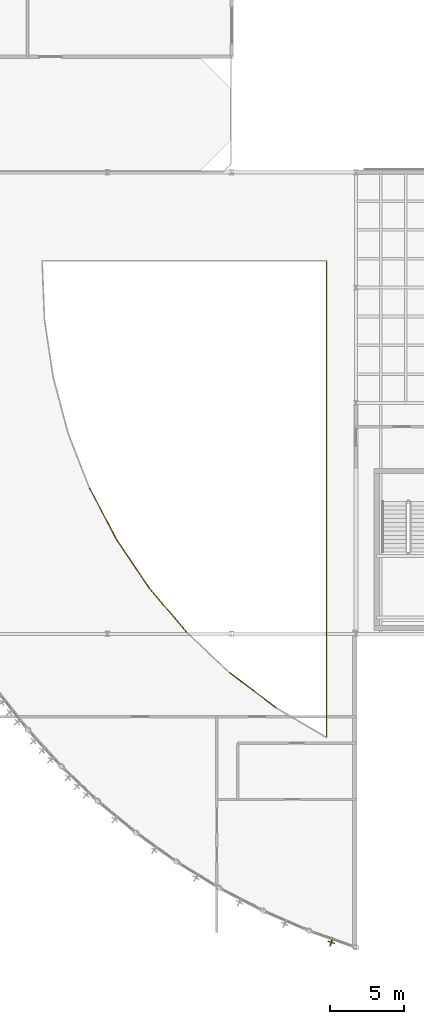
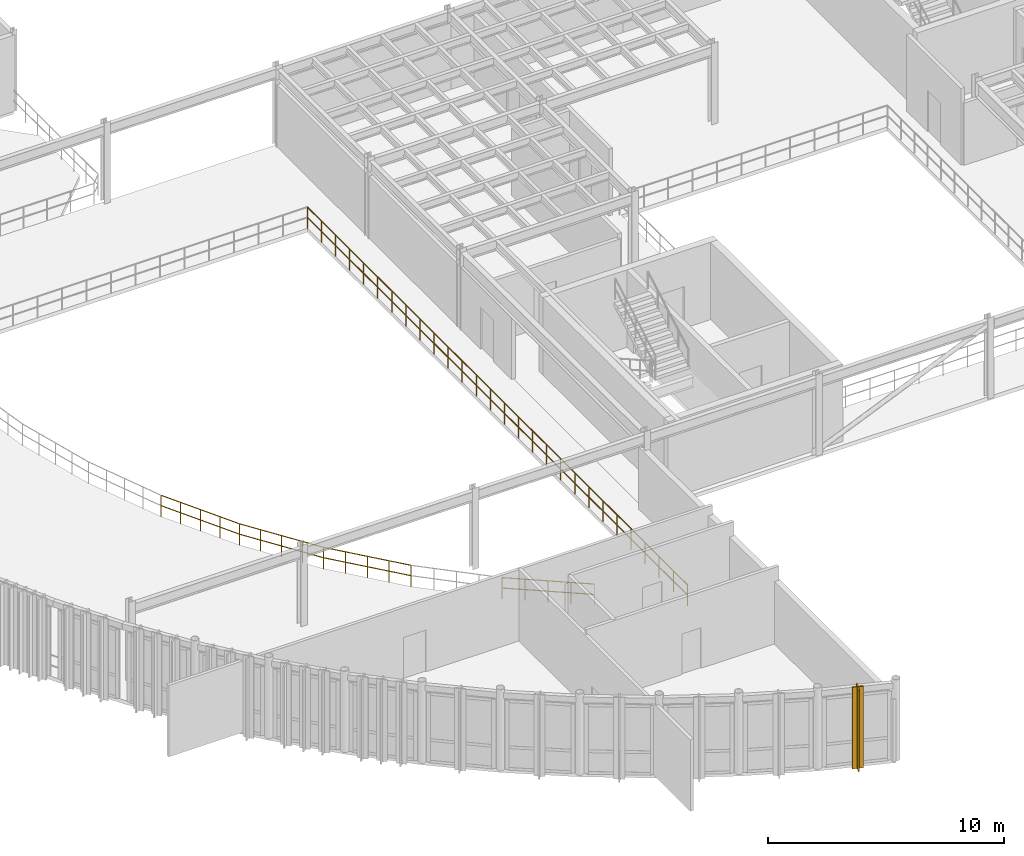
# One storey, part 27 of 32: 5 railings, 1 covering, 1 shading device.
"""IFC4 building model written with IfcOpenShell, lengths in metres."""

from ifc_helpers import new_model, si_unit, direction, frame, origin, origin_2d, place, context, subcontext, project, spatial, polyline, rectangle, circle, outline, extrude, material, layer, layer_set, material_profile, profile_set, type_object, element, save


model = new_model("IFC4")

# Units and contexts
model_context = context("Model", 3, precision=1e-05, world=origin(), true_north=direction((0.0, 1.0)))
body_context = subcontext(model_context, "Body", "Model", "MODEL_VIEW")
ifc_project = project(units=[si_unit("LENGTHUNIT", "METRE"), si_unit("AREAUNIT", "SQUARE_METRE"), si_unit("VOLUMEUNIT", "CUBIC_METRE"), si_unit("PLANEANGLEUNIT", "RADIAN"), si_unit("MASSUNIT", "GRAM", prefix="KILO")], contexts=[model_context])

# Site, building, storey
site_placement = place(None, origin())
site = spatial("IfcSite", under=ifc_project, at=site_placement, CompositionType="ELEMENT")
building_placement = place(site_placement, origin())
building = spatial("IfcBuilding", under=site, at=building_placement, Name="Selat Folded Stagehouse", CompositionType="ELEMENT")
storey_placement = place(building_placement, frame((0.0, 0.0, 19.199951171875)))
storey = spatial("IfcBuildingStorey", under=building, at=storey_placement, Name="L04", CompositionType="ELEMENT", Elevation=19.199951171875)

# Covering
ifc_material_1 = material(Name="Bronze-anodised aluminium 6063-T6", Category="aluminium")
ifc_layer_1 = layer(ifc_material_1, 0.06005859375)
ifc_layer_set_1 = layer_set([ifc_layer_1], Name="Bronze-anodised aluminium 6063-T6")
covering_type = type_object("IfcCoveringType", Name="COV-FIN-BRZ42", PredefinedType="CLADDING", material=ifc_layer_set_1)
covering_placement = place(storey_placement, frame((0.0, 0.0, -0.099853515625)))
element("IfcCovering", 1, at=covering_placement, inside=storey, type_object=covering_type, Name="L04 drum bronze fin cladding sheath 433", PredefinedType="CLADDING", context=body_context, shape_type="SweptSolid", body=[
    extrude(outline(polyline([(31.98828125, 2.802001953125), (31.808349609375, 2.292724609375), (31.86865234375, 2.271484375), (32.048583984375, 2.780517578125), (31.98828125, 2.802001953125)])), origin(), (0.0, 0.0, 1.0), 4.219970703125),
])

# Railings
ifc_material_2 = material(Name="Bronze-anodised steel balustrade", Category="steel")
ifc_layer_2 = layer(ifc_material_2, 0.06494140625)
ifc_layer_set_2 = layer_set([ifc_layer_2], Name="Bronze-anodised steel balustrade")
railing_type = type_object("IfcRailingType", Name="RLG-BAL-1120", PredefinedType="BALUSTRADE", material=ifc_layer_set_2)
railing_1_placement = place(storey_placement, frame((31.60009765625, 48.60009765625, 0.0)))
element("IfcRailing", 2, at=railing_1_placement, inside=storey, type_object=railing_type, Name="L04 protective guard railing 110", PredefinedType="BALUSTRADE", context=body_context, shape_type="SweptSolid", body=[
    extrude(circle(Radius=0.02392578125, at=origin_2d()), frame((0.0, 0.0, 1.09619140625), z_axis=(0.0, -1.0, 0.0), x_axis=(1.0, 0.0, 0.0)), (0.0, 0.0, 1.0), 32.197509765625),
    extrude(circle(Radius=0.02392578125, at=origin_2d()), frame((0.0, 0.0, 0.56005859375), z_axis=(0.0, -1.0, 0.0), x_axis=(1.0, 0.0, 0.0)), (0.0, 0.0, 1.0), 32.197509765625),
    extrude(circle(Radius=0.02099609375, at=origin_2d()), origin(), (0.0, 0.0, 1.0), 1.072021484375),
    extrude(circle(Radius=0.02099609375, at=origin_2d()), frame((0.0, -1.1923828125, 0.0)), (0.0, 0.0, 1.0), 1.072021484375),
    extrude(circle(Radius=0.02099609375, at=origin_2d()), frame((0.0, -2.385009765625, 0.0)), (0.0, 0.0, 1.0), 1.072021484375),
    extrude(circle(Radius=0.02099609375, at=origin_2d()), frame((0.0, -3.577392578125, 0.0)), (0.0, 0.0, 1.0), 1.072021484375),
    extrude(circle(Radius=0.02099609375, at=origin_2d()), frame((0.0, -4.77001953125, 0.0)), (0.0, 0.0, 1.0), 1.072021484375),
    extrude(circle(Radius=0.02099609375, at=origin_2d()), frame((0.0, -5.96240234375, 0.0)), (0.0, 0.0, 1.0), 1.072021484375),
    extrude(circle(Radius=0.02099609375, at=origin_2d()), frame((0.0, -7.155029296875, 0.0)), (0.0, 0.0, 1.0), 1.072021484375),
    extrude(circle(Radius=0.02099609375, at=origin_2d()), frame((0.0, -8.347412109375, 0.0)), (0.0, 0.0, 1.0), 1.072021484375),
    extrude(circle(Radius=0.02099609375, at=origin_2d()), frame((0.0, -9.5400390625, 0.0)), (0.0, 0.0, 1.0), 1.072021484375),
    extrude(circle(Radius=0.02099609375, at=origin_2d()), frame((0.0, -10.732421875, 0.0)), (0.0, 0.0, 1.0), 1.072021484375),
    extrude(circle(Radius=0.02099609375, at=origin_2d()), frame((0.0, -11.925048828125, 0.0)), (0.0, 0.0, 1.0), 1.072021484375),
    extrude(circle(Radius=0.02099609375, at=origin_2d()), frame((0.0, -13.117431640625, 0.0)), (0.0, 0.0, 1.0), 1.072021484375),
    extrude(circle(Radius=0.02099609375, at=origin_2d()), frame((0.0, -14.31005859375, 0.0)), (0.0, 0.0, 1.0), 1.072021484375),
    extrude(circle(Radius=0.02099609375, at=origin_2d()), frame((0.0, -15.50244140625, 0.0)), (0.0, 0.0, 1.0), 1.072021484375),
    extrude(circle(Radius=0.02099609375, at=origin_2d()), frame((0.0, -16.695068359375, 0.0)), (0.0, 0.0, 1.0), 1.072021484375),
    extrude(circle(Radius=0.02099609375, at=origin_2d()), frame((0.0, -17.887451171875, 0.0)), (0.0, 0.0, 1.0), 1.072021484375),
    extrude(circle(Radius=0.02099609375, at=origin_2d()), frame((0.0, -19.080078125, 0.0)), (0.0, 0.0, 1.0), 1.072021484375),
    extrude(circle(Radius=0.02099609375, at=origin_2d()), frame((0.0, -20.2724609375, 0.0)), (0.0, 0.0, 1.0), 1.072021484375),
    extrude(circle(Radius=0.02099609375, at=origin_2d()), frame((0.0, -21.465087890625, 0.0)), (0.0, 0.0, 1.0), 1.072021484375),
    extrude(circle(Radius=0.02099609375, at=origin_2d()), frame((0.0, -22.657470703125, 0.0)), (0.0, 0.0, 1.0), 1.072021484375),
    extrude(circle(Radius=0.02099609375, at=origin_2d()), frame((0.0, -23.85009765625, 0.0)), (0.0, 0.0, 1.0), 1.072021484375),
    extrude(circle(Radius=0.02099609375, at=origin_2d()), frame((0.0, -25.04248046875, 0.0)), (0.0, 0.0, 1.0), 1.072021484375),
    extrude(circle(Radius=0.02099609375, at=origin_2d()), frame((0.0, -26.235107421875, 0.0)), (0.0, 0.0, 1.0), 1.072021484375),
    extrude(circle(Radius=0.02099609375, at=origin_2d()), frame((0.0, -27.427490234375, 0.0)), (0.0, 0.0, 1.0), 1.072021484375),
    extrude(circle(Radius=0.02099609375, at=origin_2d()), frame((0.0, -28.6201171875, 0.0)), (0.0, 0.0, 1.0), 1.072021484375),
    extrude(circle(Radius=0.02099609375, at=origin_2d()), frame((0.0, -29.8125, 0.0)), (0.0, 0.0, 1.0), 1.072021484375),
    extrude(circle(Radius=0.02099609375, at=origin_2d()), frame((0.0, -31.005126953125, 0.0)), (0.0, 0.0, 1.0), 1.072021484375),
    extrude(circle(Radius=0.02099609375, at=origin_2d()), frame((0.0, -32.197509765625, 0.0)), (0.0, 0.0, 1.0), 1.072021484375),
])
railing_2_placement = place(storey_placement, frame((28.2041015625, 18.41162109375, 0.0)))
element("IfcRailing", 3, at=railing_2_placement, inside=storey, type_object=railing_type, Name="L04 protective guard railing 112", PredefinedType="BALUSTRADE", context=body_context, shape_type="SweptSolid", body=[
    extrude(circle(Radius=0.02392578125, at=origin_2d()), frame((0.0, 0.0, 1.09619140625), z_axis=(-0.799063466096, 0.601246685771, 0.0), x_axis=(-0.601246685771, -0.799063466096, 0.0)), (0.0, 0.0, 1.0), 3.945556640625),
    extrude(circle(Radius=0.02392578125, at=origin_2d()), frame((0.0, 0.0, 0.56005859375), z_axis=(-0.799063466096, 0.601246685771, 0.0), x_axis=(-0.601246685771, -0.799063466096, 0.0)), (0.0, 0.0, 1.0), 3.945556640625),
    extrude(circle(Radius=0.02099609375, at=origin_2d()), origin(), (0.0, 0.0, 1.0), 1.072021484375),
    extrude(circle(Radius=0.02099609375, at=origin_2d()), frame((-0.7880859375, 0.593017578125, 0.0)), (0.0, 0.0, 1.0), 1.072021484375),
    extrude(circle(Radius=0.02099609375, at=origin_2d()), frame((-1.576416015625, 1.18603515625, 0.0)), (0.0, 0.0, 1.0), 1.072021484375),
    extrude(circle(Radius=0.02099609375, at=origin_2d()), frame((-2.36474609375, 1.779296875, 0.0)), (0.0, 0.0, 1.0), 1.072021484375),
    extrude(circle(Radius=0.02099609375, at=origin_2d()), frame((-3.15283203125, 2.372314453125, 0.0)), (0.0, 0.0, 1.0), 1.072021484375),
])
railing_3_placement = place(storey_placement, frame((22.180419921875, 23.490478515625, 0.0)))
element("IfcRailing", 4, at=railing_3_placement, inside=storey, type_object=railing_type, Name="L04 protective guard railing 114", PredefinedType="BALUSTRADE", context=body_context, shape_type="SweptSolid", body=[
    extrude(circle(Radius=0.02392578125, at=origin_2d()), frame((0.0, 0.0, 1.09619140625), z_axis=(-0.647217253778, 0.762305599096, 0.0), x_axis=(-0.762305599096, -0.647217253778, 0.0)), (0.0, 0.0, 1.0), 3.945556640625),
    extrude(circle(Radius=0.02392578125, at=origin_2d()), frame((0.0, 0.0, 0.56005859375), z_axis=(-0.647217253778, 0.762305599096, 0.0), x_axis=(-0.762305599096, -0.647217253778, 0.0)), (0.0, 0.0, 1.0), 3.945556640625),
    extrude(circle(Radius=0.02099609375, at=origin_2d()), origin(), (0.0, 0.0, 1.0), 1.072021484375),
    extrude(circle(Radius=0.02099609375, at=origin_2d()), frame((-0.638427734375, 0.751953125, 0.0)), (0.0, 0.0, 1.0), 1.072021484375),
    extrude(circle(Radius=0.02099609375, at=origin_2d()), frame((-1.27685546875, 1.50390625, 0.0)), (0.0, 0.0, 1.0), 1.072021484375),
    extrude(circle(Radius=0.02099609375, at=origin_2d()), frame((-1.915283203125, 2.255859375, 0.0)), (0.0, 0.0, 1.0), 1.072021484375),
    extrude(circle(Radius=0.02099609375, at=origin_2d()), frame((-2.5537109375, 3.0078125, 0.0)), (0.0, 0.0, 1.0), 1.072021484375),
])
railing_4_placement = place(storey_placement, frame((19.626708984375, 26.498291015625, 0.0)))
element("IfcRailing", 5, at=railing_4_placement, inside=storey, type_object=railing_type, Name="L04 protective guard railing 115", PredefinedType="BALUSTRADE", context=body_context, shape_type="SweptSolid", body=[
    extrude(circle(Radius=0.02392578125, at=origin_2d()), frame((0.0, 0.0, 1.09619140625), z_axis=(-0.558862712246, 0.829260193703, 0.0), x_axis=(-0.829260193703, -0.558862712246, 0.0)), (0.0, 0.0, 1.0), 3.945556640625),
    extrude(circle(Radius=0.02392578125, at=origin_2d()), frame((0.0, 0.0, 0.56005859375), z_axis=(-0.558862712246, 0.829260193703, 0.0), x_axis=(-0.829260193703, -0.558862712246, 0.0)), (0.0, 0.0, 1.0), 3.945556640625),
    extrude(circle(Radius=0.02099609375, at=origin_2d()), origin(), (0.0, 0.0, 1.0), 1.072021484375),
    extrude(circle(Radius=0.02099609375, at=origin_2d()), frame((-0.55126953125, 0.81787109375, 0.0)), (0.0, 0.0, 1.0), 1.072021484375),
    extrude(circle(Radius=0.02099609375, at=origin_2d()), frame((-1.1025390625, 1.635986328125, 0.0)), (0.0, 0.0, 1.0), 1.072021484375),
    extrude(circle(Radius=0.02099609375, at=origin_2d()), frame((-1.65380859375, 2.4541015625, 0.0)), (0.0, 0.0, 1.0), 1.072021484375),
    extrude(circle(Radius=0.02099609375, at=origin_2d()), frame((-2.205078125, 3.27197265625, 0.0)), (0.0, 0.0, 1.0), 1.072021484375),
])
railing_5_placement = place(storey_placement, frame((17.421630859375, 29.770263671875, 0.0)))
element("IfcRailing", 6, at=railing_5_placement, inside=storey, type_object=railing_type, Name="L04 protective guard railing 116", PredefinedType="BALUSTRADE", context=body_context, shape_type="SweptSolid", body=[
    extrude(circle(Radius=0.02392578125, at=origin_2d()), frame((0.0, 0.0, 1.09619140625), z_axis=(-0.463694836005, 0.885994976883, 0.0), x_axis=(-0.885994976883, -0.463694836005, 0.0)), (0.0, 0.0, 1.0), 3.945556640625),
    extrude(circle(Radius=0.02392578125, at=origin_2d()), frame((0.0, 0.0, 0.56005859375), z_axis=(-0.463694836005, 0.885994976883, 0.0), x_axis=(-0.885994976883, -0.463694836005, 0.0)), (0.0, 0.0, 1.0), 3.945556640625),
    extrude(circle(Radius=0.02099609375, at=origin_2d()), origin(), (0.0, 0.0, 1.0), 1.072021484375),
    extrude(circle(Radius=0.02099609375, at=origin_2d()), frame((-0.45751953125, 0.8740234375, 0.0)), (0.0, 0.0, 1.0), 1.072021484375),
    extrude(circle(Radius=0.02099609375, at=origin_2d()), frame((-0.914794921875, 1.748046875, 0.0)), (0.0, 0.0, 1.0), 1.072021484375),
    extrude(circle(Radius=0.02099609375, at=origin_2d()), frame((-1.3720703125, 2.621826171875, 0.0)), (0.0, 0.0, 1.0), 1.072021484375),
    extrude(circle(Radius=0.02099609375, at=origin_2d()), frame((-1.82958984375, 3.495849609375, 0.0)), (0.0, 0.0, 1.0), 1.072021484375),
])

# Shading device
ifc_material_profile = material_profile(ifc_material_1, rectangle(XDim=0.06005859375, YDim=0.47998046875, at=origin_2d()), Name="SOLAR-FIN 480x60")
ifc_profile_set = profile_set([ifc_material_profile], Name="Bronze-anodised aluminium 6063-T6")
shading_device_type = type_object("IfcShadingDeviceType", Name="SHD-FIN-480x60", PredefinedType="USERDEFINED", material=ifc_profile_set)
shading_device_placement = place(storey_placement, frame((31.931884765625, 2.546142578125, -0.099853515625), z_axis=(0.0, 0.0, 1.0), x_axis=(-0.333313247568, -0.942816142732, 0.0)))
element("IfcShadingDevice", 7, at=shading_device_placement, inside=storey, type_object=shading_device_type, Name="L04 drum vertical bronze solar fin 433", ObjectType="FIN", PredefinedType="USERDEFINED", context=body_context, shape_type="SweptSolid", body=[
    extrude(rectangle(XDim=0.06005859375, YDim=0.47998046875, at=origin_2d()), origin(), (0.0, 0.0, 1.0), 4.219970703125),
])

save(model, "model.ifc")
